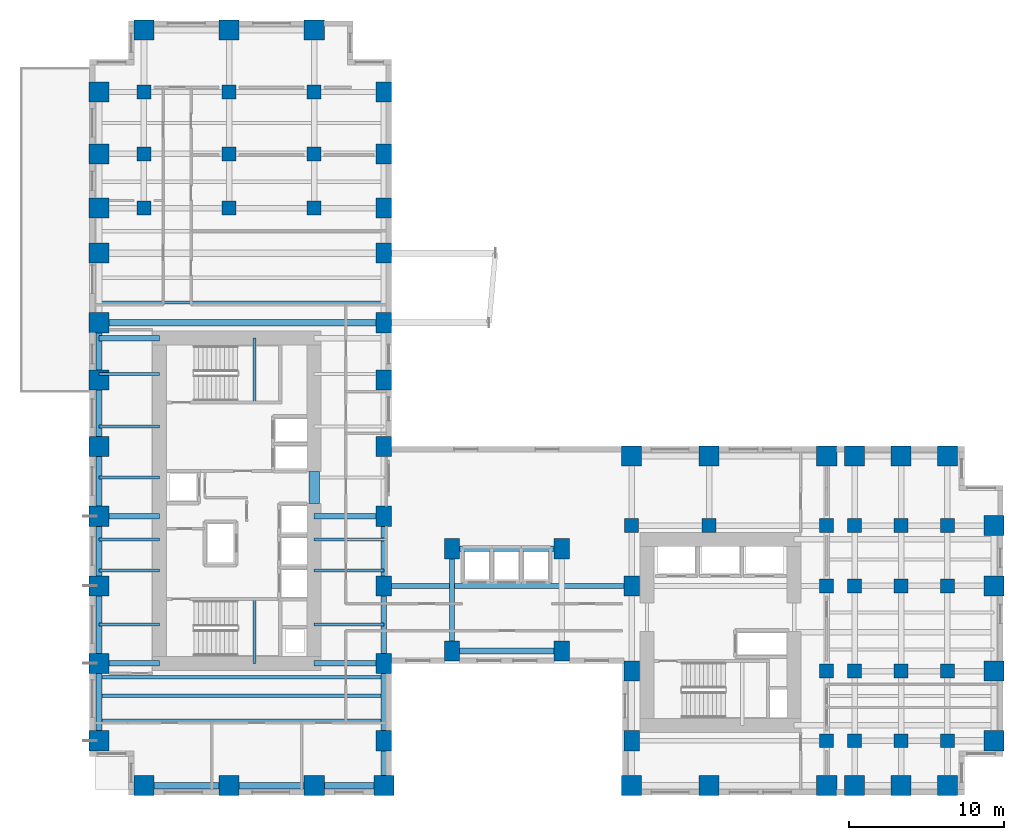
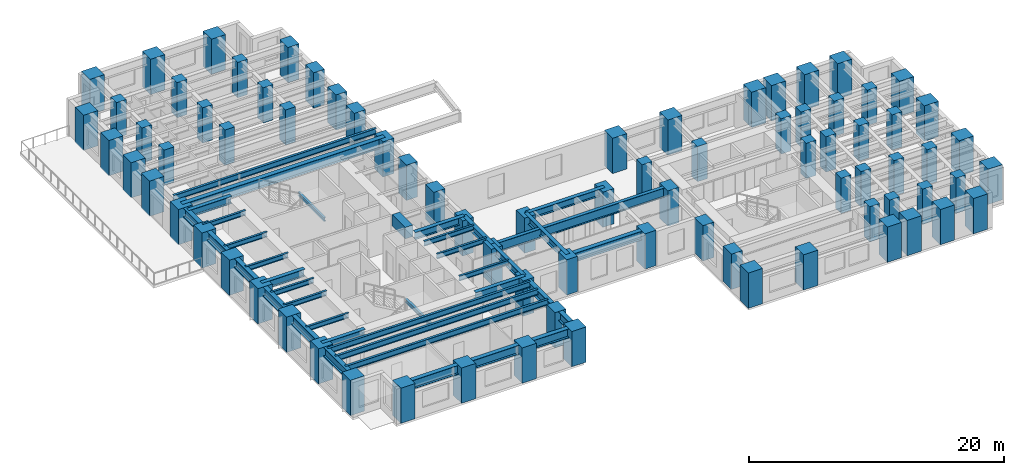
# One storey, part 1 of 15: 79 columns, 39 beams.
"""IFC4 building model written with IfcOpenShell, lengths in metres."""

from ifc_helpers import new_model, si_unit, direction, frame, origin, origin_2d, place, context, subcontext, project, spatial, rectangle, i_section, extrude, source, transform, mapped, material, material_profile, profile_set, type_object, element, save


model = new_model("IFC4")

# Units and contexts
model_context = context("Model", 3, precision=1e-05, world=origin(), true_north=direction((0.0, 1.0)))
body_context = subcontext(model_context, "Body", "Model", "MODEL_VIEW")
ifc_project = project(units=[si_unit("LENGTHUNIT", "METRE"), si_unit("AREAUNIT", "SQUARE_METRE"), si_unit("VOLUMEUNIT", "CUBIC_METRE"), si_unit("PLANEANGLEUNIT", "RADIAN"), si_unit("MASSUNIT", "GRAM", prefix="KILO")], contexts=[model_context])

# Site, building, storey
site_placement = place(None, origin())
site = spatial("IfcSite", under=ifc_project, at=site_placement, CompositionType="ELEMENT")
building_placement = place(site_placement, origin())
building = spatial("IfcBuilding", under=site, at=building_placement, Name="Kharzan Plaza Tower", CompositionType="ELEMENT")
storey_placement = place(building_placement, frame((0.0, 0.0, 22.5)))
storey = spatial("IfcBuildingStorey", under=building, at=storey_placement, Name="L05", CompositionType="ELEMENT", Elevation=22.5)

# Columns
ifc_material_1 = material(Name="Concrete C50/60", Category="concrete")
ifc_material_profile_1 = material_profile(ifc_material_1, rectangle(XDim=0.89990234375, YDim=0.89990234375, at=origin_2d()), Name="RC-IC900x900")
ifc_profile_set_1 = profile_set([ifc_material_profile_1], Name="Concrete C50/60")
column_type_1 = type_object("IfcColumnType", Name="COL-IC900", PredefinedType="COLUMN", material=ifc_profile_set_1)
shared_shape_1 = source(origin(), body_context, "Body", "SweptSolid", [
    extrude(rectangle(XDim=0.89990234375, YDim=0.89990234375, at=origin_2d()), origin(), (0.0, 0.0, 1.0), 3.3798828125),
])
for number, where, z_axis, x_axis, name in (
    (1, (47.60009765625, 13.5, 0.0), (0.0, 0.0, 1.0), (1.0, 0.0, 0.0), "L05 Structural Column TCBI-135"),
    (2, (47.60009765625, 3.5, 0.0), (0.0, 0.0, 1.0), (1.0, 0.0, 0.0), "L05 Structural Column TCBI-35"),
    (3, (47.60009765625, 8.0, 0.0), (0.0, 0.0, 1.0), (1.0, 0.0, 0.0), "L05 Structural Column TCBI-80"),
    (4, (35.0, 17.39990234375, 0.0), (0.0, 0.0, 1.0), (1.0, 0.0, 0.0), "L05 Structural Column TCBN-350-174"),
    (5, (40.0, 17.39990234375, 0.0), (0.0, 0.0, 1.0), (1.0, 0.0, 0.0), "L05 Structural Column TCBN-400-174"),
    (6, (47.60009765625, 17.39990234375, 0.0), (0.0, 0.0, 1.0), (1.0, 0.0, 0.0), "L05 Structural Column TCBN-476-174"),
    (7, (49.39990234375, 13.5, 0.0), (0.0, 0.0, 1.0), (1.0, 0.0, 0.0), "L05 Structural Column TCE-494-135"),
    (8, (49.39990234375, 17.39990234375, 0.0), (0.0, 0.0, 1.0), (1.0, 0.0, 0.0), "L05 Structural Column TCE-494-174"),
    (9, (49.39990234375, 3.5, 0.0), (0.0, 0.0, 1.0), (1.0, 0.0, 0.0), "L05 Structural Column TCE-494-35"),
    (10, (49.39990234375, 8.0, 0.0), (0.0, 0.0, 1.0), (1.0, 0.0, 0.0), "L05 Structural Column TCE-494-80"),
    (11, (52.39990234375, 13.5, 0.0), (0.0, 0.0, 1.0), (1.0, 0.0, 0.0), "L05 Structural Column TCE-524-135"),
    (12, (52.39990234375, 17.39990234375, 0.0), (0.0, 0.0, 1.0), (1.0, 0.0, 0.0), "L05 Structural Column TCE-524-174"),
    (13, (52.39990234375, 3.5, 0.0), (0.0, 0.0, 1.0), (1.0, 0.0, 0.0), "L05 Structural Column TCE-524-35"),
    (14, (52.39990234375, 8.0, 0.0), (0.0, 0.0, 1.0), (1.0, 0.0, 0.0), "L05 Structural Column TCE-524-80"),
    (15, (55.39990234375, 13.5, 0.0), (0.0, 0.0, 1.0), (1.0, 0.0, 0.0), "L05 Structural Column TCE-554-135"),
    (16, (55.39990234375, 17.39990234375, 0.0), (0.0, 0.0, 1.0), (1.0, 0.0, 0.0), "L05 Structural Column TCE-554-174"),
    (17, (55.39990234375, 3.5, 0.0), (0.0, 0.0, 1.0), (1.0, 0.0, 0.0), "L05 Structural Column TCE-554-35"),
    (18, (55.39990234375, 8.0, 0.0), (0.0, 0.0, 1.0), (1.0, 0.0, 0.0), "L05 Structural Column TCE-554-80"),
    (19, (14.5, 37.89990234375, 0.0), (0.0, 0.0, 1.0), (1.0, 0.0, 0.0), "L05 Structural Column TCN-145-379"),
    (20, (14.5, 41.39990234375, 0.0), (0.0, 0.0, 1.0), (1.0, 0.0, 0.0), "L05 Structural Column TCN-145-414"),
    (21, (14.5, 45.39990234375, 0.0), (0.0, 0.0, 1.0), (1.0, 0.0, 0.0), "L05 Structural Column TCN-145-454"),
    (22, (3.5, 37.89990234375, 0.0), (0.0, 0.0, 1.0), (1.0, 0.0, 0.0), "L05 Structural Column TCN-35-379"),
    (23, (3.5, 41.39990234375, 0.0), (0.0, 0.0, 1.0), (1.0, 0.0, 0.0), "L05 Structural Column TCN-35-414"),
    (24, (3.5, 45.39990234375, 0.0), (0.0, 0.0, 1.0), (1.0, 0.0, 0.0), "L05 Structural Column TCN-35-454"),
    (25, (9.0, 37.89990234375, 0.0), (0.0, 0.0, 1.0), (1.0, 0.0, 0.0), "L05 Structural Column TCN-90-379"),
    (26, (9.0, 41.39990234375, 0.0), (0.0, 0.0, 1.0), (1.0, 0.0, 0.0), "L05 Structural Column TCN-90-414"),
    (27, (9.0, 45.39990234375, 0.0), (0.0, 0.0, 1.0), (1.0, 0.0, 0.0), "L05 Structural Column TCN-90-454"),
):
    element("IfcColumn", number, at=place(storey_placement, frame(where, z_axis=z_axis, x_axis=x_axis)), inside=storey, type_object=column_type_1, Name=name, PredefinedType="COLUMN", context=body_context, shape_type="MappedRepresentation", body=[
        mapped(shared_shape_1, transform((0.0, 0.0, 0.0), x_axis=(1.0, 0.0, 0.0), y_axis=(0.0, 1.0, 0.0), z_axis=(0.0, 0.0, 1.0))),
    ])
ifc_material_2 = material(Name="Concrete C60/75", Category="concrete")
ifc_material_profile_2 = material_profile(ifc_material_2, rectangle(XDim=1.0, YDim=1.300048828125, at=origin_2d()), Name="RC-SC1300x1000")
ifc_profile_set_2 = profile_set([ifc_material_profile_2], Name="Concrete C60/75")
column_type_2 = type_object("IfcColumnType", Name="COL-SC1300", PredefinedType="COLUMN", material=ifc_profile_set_2)
shared_shape_2 = source(origin(), body_context, "Body", "SweptSolid", [
    extrude(rectangle(XDim=1.0, YDim=1.300048828125, at=origin_2d()), origin(), (0.0, 0.0, 1.0), 3.3798828125),
])
for number, where, z_axis, x_axis, name in (
    (28, (19.0, 13.5, 0.0), (0.0, 0.0, 1.0), (1.0, 0.0, 0.0), "L05 Structural Column TCA-135"),
    (29, (19.0, 18.0, 0.0), (0.0, 0.0, 1.0), (1.0, 0.0, 0.0), "L05 Structural Column TCA-180"),
    (30, (19.0, 22.5, 0.0), (0.0, 0.0, 1.0), (1.0, 0.0, 0.0), "L05 Structural Column TCA-225"),
    (31, (19.0, 26.800048828125, 0.0), (0.0, 0.0, 1.0), (1.0, 0.0, 0.0), "L05 Structural Column TCA-268"),
    (32, (19.0, 30.5, 0.0), (0.0, 0.0, 1.0), (1.0, 0.0, 0.0), "L05 Structural Column TCA-305"),
    (33, (19.0, 3.5, 0.0), (0.0, 0.0, 1.0), (1.0, 0.0, 0.0), "L05 Structural Column TCA-35"),
    (34, (19.0, 35.0, 0.0), (0.0, 0.0, 1.0), (1.0, 0.0, 0.0), "L05 Structural Column TCA-350"),
    (35, (19.0, 37.89990234375, 0.0), (0.0, 0.0, 1.0), (1.0, 0.0, 0.0), "L05 Structural Column TCA-379"),
    (36, (19.0, 41.39990234375, 0.0), (0.0, 0.0, 1.0), (1.0, 0.0, 0.0), "L05 Structural Column TCA-414"),
    (37, (19.0, 45.39990234375, 0.0), (0.0, 0.0, 1.0), (1.0, 0.0, 0.0), "L05 Structural Column TCA-454"),
    (38, (19.0, 8.5, 0.0), (0.0, 0.0, 1.0), (1.0, 0.0, 0.0), "L05 Structural Column TCA-85"),
    (39, (35.0, 13.5, 0.0), (0.0, 0.0, 1.0), (1.0, 0.0, 0.0), "L05 Structural Column TCBS-135"),
    (40, (35.0, 3.5, 0.0), (0.0, 0.0, 1.0), (1.0, 0.0, 0.0), "L05 Structural Column TCBS-35"),
    (41, (35.0, 8.0, 0.0), (0.0, 0.0, 1.0), (1.0, 0.0, 0.0), "L05 Structural Column TCBS-80"),
    (42, (23.39990234375, 15.89990234375, 0.0), (0.0, 0.0, 1.0), (1.0, 0.0, 0.0), "L05 Structural Column TCSP-234-159"),
    (43, (23.39990234375, 9.300048828125, 0.0), (0.0, 0.0, 1.0), (1.0, 0.0, 0.0), "L05 Structural Column TCSP-234-93"),
    (44, (30.5, 15.89990234375, 0.0), (0.0, 0.0, 1.0), (1.0, 0.0, 0.0), "L05 Structural Column TCSP-305-159"),
    (45, (30.5, 9.300048828125, 0.0), (0.0, 0.0, 1.0), (1.0, 0.0, 0.0), "L05 Structural Column TCSP-305-93"),
):
    element("IfcColumn", number, at=place(storey_placement, frame(where, z_axis=z_axis, x_axis=x_axis)), inside=storey, type_object=column_type_2, Name=name, PredefinedType="COLUMN", context=body_context, shape_type="MappedRepresentation", body=[
        mapped(shared_shape_2, transform((0.0, 0.0, 0.0), x_axis=(1.0, 0.0, 0.0), y_axis=(0.0, 1.0, 0.0), z_axis=(0.0, 0.0, 1.0))),
    ])
ifc_material_profile_3 = material_profile(ifc_material_2, rectangle(XDim=1.300048828125, YDim=1.300048828125, at=origin_2d()), Name="RC-TC1300x1300")
ifc_profile_set_3 = profile_set([ifc_material_profile_3], Name="Concrete C60/75")
column_type_3 = type_object("IfcColumnType", Name="COL-TC1300", PredefinedType="COLUMN", material=ifc_profile_set_3)
shared_shape_3 = source(origin(), body_context, "Body", "SweptSolid", [
    extrude(rectangle(XDim=1.300048828125, YDim=1.300048828125, at=origin_2d()), origin(), (0.0, 0.0, 1.0), 3.3798828125),
])
for number, where, z_axis, x_axis, name in (
    (46, (35.0, 21.89990234375, 0.0), (0.0, 0.0, 1.0), (1.0, 0.0, 0.0), "L05 Structural Column TCBN-350-219"),
    (47, (40.0, 21.89990234375, 0.0), (0.0, 0.0, 1.0), (1.0, 0.0, 0.0), "L05 Structural Column TCBN-400-219"),
    (48, (47.60009765625, 21.89990234375, 0.0), (0.0, 0.0, 1.0), (1.0, 0.0, 0.0), "L05 Structural Column TCBN-476-219"),
    (49, (49.39990234375, 21.89990234375, 0.0), (0.0, 0.0, 1.0), (1.0, 0.0, 0.0), "L05 Structural Column TCBN-494-219"),
    (50, (52.39990234375, 21.89990234375, 0.0), (0.0, 0.0, 1.0), (1.0, 0.0, 0.0), "L05 Structural Column TCBN-524-219"),
    (51, (55.39990234375, 21.89990234375, 0.0), (0.0, 0.0, 1.0), (1.0, 0.0, 0.0), "L05 Structural Column TCBN-554-219"),
    (52, (58.39990234375, 13.5, 0.0), (0.0, 0.0, 1.0), (1.0, 0.0, 0.0), "L05 Structural Column TCE-584-135"),
    (53, (58.39990234375, 17.39990234375, 0.0), (0.0, 0.0, 1.0), (1.0, 0.0, 0.0), "L05 Structural Column TCE-584-174"),
    (54, (58.39990234375, 3.5, 0.0), (0.0, 0.0, 1.0), (1.0, 0.0, 0.0), "L05 Structural Column TCE-584-35"),
    (55, (58.39990234375, 8.0, 0.0), (0.0, 0.0, 1.0), (1.0, 0.0, 0.0), "L05 Structural Column TCE-584-80"),
    (56, (14.5, 49.39990234375, 0.0), (0.0, 0.0, 1.0), (1.0, 0.0, 0.0), "L05 Structural Column TCN-145-494"),
    (57, (3.5, 49.39990234375, 0.0), (0.0, 0.0, 1.0), (1.0, 0.0, 0.0), "L05 Structural Column TCN-35-494"),
    (58, (9.0, 49.39990234375, 0.0), (0.0, 0.0, 1.0), (1.0, 0.0, 0.0), "L05 Structural Column TCN-90-494"),
    (59, (14.5, 0.60009765625, 0.0), (0.0, 0.0, 1.0), (1.0, 0.0, 0.0), "L05 Structural Column TCS-145"),
    (60, (19.0, 0.60009765625, 0.0), (0.0, 0.0, 1.0), (1.0, 0.0, 0.0), "L05 Structural Column TCS-190"),
    (61, (3.5, 0.60009765625, 0.0), (0.0, 0.0, 1.0), (1.0, 0.0, 0.0), "L05 Structural Column TCS-35"),
    (62, (35.0, 0.60009765625, 0.0), (0.0, 0.0, 1.0), (1.0, 0.0, 0.0), "L05 Structural Column TCS-350"),
    (63, (40.0, 0.60009765625, 0.0), (0.0, 0.0, 1.0), (1.0, 0.0, 0.0), "L05 Structural Column TCS-400"),
    (64, (47.60009765625, 0.60009765625, 0.0), (0.0, 0.0, 1.0), (1.0, 0.0, 0.0), "L05 Structural Column TCS-476"),
    (65, (49.39990234375, 0.60009765625, 0.0), (0.0, 0.0, 1.0), (1.0, 0.0, 0.0), "L05 Structural Column TCS-494"),
    (66, (52.39990234375, 0.60009765625, 0.0), (0.0, 0.0, 1.0), (1.0, 0.0, 0.0), "L05 Structural Column TCS-524"),
    (67, (55.39990234375, 0.60009765625, 0.0), (0.0, 0.0, 1.0), (1.0, 0.0, 0.0), "L05 Structural Column TCS-554"),
    (68, (9.0, 0.60009765625, 0.0), (0.0, 0.0, 1.0), (1.0, 0.0, 0.0), "L05 Structural Column TCS-90"),
    (69, (0.60009765625, 13.5, 0.0), (0.0, 0.0, 1.0), (1.0, 0.0, 0.0), "L05 Structural Column TCW-135"),
    (70, (0.60009765625, 18.0, 0.0), (0.0, 0.0, 1.0), (1.0, 0.0, 0.0), "L05 Structural Column TCW-180"),
    (71, (0.60009765625, 22.5, 0.0), (0.0, 0.0, 1.0), (1.0, 0.0, 0.0), "L05 Structural Column TCW-225"),
    (72, (0.60009765625, 26.800048828125, 0.0), (0.0, 0.0, 1.0), (1.0, 0.0, 0.0), "L05 Structural Column TCW-268"),
    (73, (0.60009765625, 30.5, 0.0), (0.0, 0.0, 1.0), (1.0, 0.0, 0.0), "L05 Structural Column TCW-305"),
    (74, (0.60009765625, 3.5, 0.0), (0.0, 0.0, 1.0), (1.0, 0.0, 0.0), "L05 Structural Column TCW-35"),
    (75, (0.60009765625, 35.0, 0.0), (0.0, 0.0, 1.0), (1.0, 0.0, 0.0), "L05 Structural Column TCW-350"),
    (76, (0.60009765625, 37.89990234375, 0.0), (0.0, 0.0, 1.0), (1.0, 0.0, 0.0), "L05 Structural Column TCW-379"),
    (77, (0.60009765625, 41.39990234375, 0.0), (0.0, 0.0, 1.0), (1.0, 0.0, 0.0), "L05 Structural Column TCW-414"),
    (78, (0.60009765625, 45.39990234375, 0.0), (0.0, 0.0, 1.0), (1.0, 0.0, 0.0), "L05 Structural Column TCW-454"),
    (79, (0.60009765625, 8.5, 0.0), (0.0, 0.0, 1.0), (1.0, 0.0, 0.0), "L05 Structural Column TCW-85"),
):
    element("IfcColumn", number, at=place(storey_placement, frame(where, z_axis=z_axis, x_axis=x_axis)), inside=storey, type_object=column_type_3, Name=name, PredefinedType="COLUMN", context=body_context, shape_type="MappedRepresentation", body=[
        mapped(shared_shape_3, transform((0.0, 0.0, 0.0), x_axis=(1.0, 0.0, 0.0), y_axis=(0.0, 1.0, 0.0), z_axis=(0.0, 0.0, 1.0))),
    ])

# Beams
ifc_material_profile_4 = material_profile(ifc_material_2, rectangle(XDim=0.699951171875, YDim=1.10009765625, at=origin_2d()), Name="RC-CB1100x700")
ifc_profile_set_4 = profile_set([ifc_material_profile_4], Name="Concrete C60/75")
beam_type_1 = type_object("IfcBeamType", Name="BM-RCCB1100", PredefinedType="LINTEL", material=ifc_profile_set_4)
shared_shape_4 = source(origin(), body_context, "Body", "SweptSolid", [
    extrude(rectangle(XDim=0.699951171875, YDim=1.10009765625, at=origin_2d()), origin(), (0.0, 0.0, 1.0), 2.059814453125),
])
beam_1_placement = place(storey_placement, frame((14.5, 18.820068359375, 2.830078125), z_axis=(0.0, 1.0, 0.0), x_axis=(-1.0, 0.0, 0.0)))
element("IfcBeam", 80, at=beam_1_placement, inside=storey, type_object=beam_type_1, Name="L05 CORE-A RC coupling beam CB1", PredefinedType="LINTEL", context=body_context, shape_type="MappedRepresentation", body=[
    mapped(shared_shape_4, transform((0.0, 0.0, 0.0), x_axis=(1.0, 0.0, 0.0), y_axis=(0.0, 1.0, 0.0), z_axis=(0.0, 0.0, 1.0))),
])
ifc_material_3 = material(Name="Steel S355", Category="steel")
ifc_material_profile_5 = material_profile(ifc_material_3, i_section(OverallWidth=0.205078125, OverallDepth=0.35400390625, WebThickness=0.009521484375, FlangeThickness=0.016845703125, at=origin_2d()), Name="W360x79")
ifc_profile_set_5 = profile_set([ifc_material_profile_5], Name="Steel S355")
beam_type_2 = type_object("IfcBeamType", Name="BM-LNT360", PredefinedType="LINTEL", material=ifc_profile_set_5)
shared_shape_5 = source(origin(), body_context, "Body", "SweptSolid", [
    extrude(i_section(OverallWidth=0.205078125, OverallDepth=0.35400390625, WebThickness=0.009521484375, FlangeThickness=0.016845703125, at=origin_2d()), origin(), (0.0, 0.0, 1.0), 4.155029296875),
])
for number, where, z_axis, x_axis, name in (
    (81, (10.64990234375, 8.5, 1.423095703125), (0.0, 1.0, 0.0), (-1.0, 0.0, 0.0), "L05 Stair ST-1 Half-Landing Beam"),
    (82, (10.64990234375, 25.344970703125, 1.423095703125), (0.0, 1.0, 0.0), (-1.0, 0.0, 0.0), "L05 Stair ST-2 Half-Landing Beam"),
):
    element("IfcBeam", number, at=place(storey_placement, frame(where, z_axis=z_axis, x_axis=x_axis)), inside=storey, type_object=beam_type_2, Name=name, PredefinedType="LINTEL", context=body_context, shape_type="MappedRepresentation", body=[
        mapped(shared_shape_5, transform((0.0, 0.0, 0.0), x_axis=(1.0, 0.0, 0.0), y_axis=(0.0, 1.0, 0.0), z_axis=(0.0, 0.0, 1.0))),
    ])
ifc_material_profile_6 = material_profile(ifc_material_3, i_section(OverallWidth=0.304931640625, OverallDepth=0.9189453125, WebThickness=0.017333984375, FlangeThickness=0.02783203125, at=origin_2d()), Name="W920x253")
ifc_profile_set_6 = profile_set([ifc_material_profile_6], Name="Steel S355")
beam_type_3 = type_object("IfcBeamType", Name="BM-FG920B", PredefinedType="BEAM", material=ifc_profile_set_6)
shared_shape_6 = source(origin(), body_context, "Body", "SweptSolid", [
    extrude(i_section(OverallWidth=0.304931640625, OverallDepth=0.9189453125, WebThickness=0.017333984375, FlangeThickness=0.02783203125, at=origin_2d()), origin(), (0.0, 0.0, 1.0), 16.0),
])
beam_2_placement = place(storey_placement, frame((19.0, 13.5, 2.92041015625), z_axis=(1.0, 0.0, 0.0), x_axis=(0.0, 1.0, 0.0)))
element("IfcBeam", 83, at=beam_2_placement, inside=storey, type_object=beam_type_3, Name="L05 Primary Floor Girder", PredefinedType="BEAM", context=body_context, shape_type="MappedRepresentation", body=[
    mapped(shared_shape_6, transform((0.0, 0.0, 0.0), x_axis=(1.0, 0.0, 0.0), y_axis=(0.0, 1.0, 0.0), z_axis=(0.0, 0.0, 1.0))),
])
ifc_material_profile_7 = material_profile(ifc_material_3, i_section(OverallWidth=0.35498046875, OverallDepth=0.695068359375, WebThickness=0.015380859375, FlangeThickness=0.02490234375, at=origin_2d()), Name="W690x217")
ifc_profile_set_7 = profile_set([ifc_material_profile_7], Name="Steel S355")
beam_type_4 = type_object("IfcBeamType", Name="BM-FG690A", PredefinedType="BEAM", material=ifc_profile_set_7)
shared_shape_7 = source(origin(), body_context, "Body", "SweptSolid", [
    extrude(i_section(OverallWidth=0.35498046875, OverallDepth=0.695068359375, WebThickness=0.015380859375, FlangeThickness=0.02490234375, at=origin_2d()), origin(), (0.0, 0.0, 1.0), 4.5),
])
for number, where, z_axis, x_axis, name in (
    (84, (14.5, 8.5, 3.032470703125), (1.0, 0.0, 0.0), (0.0, 1.0, 0.0), "L05 Core-A East Floor Girder 1"),
    (85, (14.5, 18.0, 3.032470703125), (1.0, 0.0, 0.0), (0.0, 1.0, 0.0), "L05 Core-A East Floor Girder 2"),
    (86, (19.0, 13.5, 3.032470703125), (0.0, 1.0, 0.0), (-1.0, 0.0, 0.0), "L05 Interior Frame Girder"),
):
    element("IfcBeam", number, at=place(storey_placement, frame(where, z_axis=z_axis, x_axis=x_axis)), inside=storey, type_object=beam_type_4, Name=name, PredefinedType="BEAM", context=body_context, shape_type="MappedRepresentation", body=[
        mapped(shared_shape_7, transform((0.0, 0.0, 0.0), x_axis=(1.0, 0.0, 0.0), y_axis=(0.0, 1.0, 0.0), z_axis=(0.0, 0.0, 1.0))),
    ])
shared_shape_8 = source(origin(), body_context, "Body", "SweptSolid", [
    extrude(i_section(OverallWidth=0.35498046875, OverallDepth=0.695068359375, WebThickness=0.015380859375, FlangeThickness=0.02490234375, at=origin_2d()), origin(), (0.0, 0.0, 1.0), 3.89990234375),
])
for number, where, z_axis, x_axis, name in (
    (87, (0.60009765625, 8.5, 3.032470703125), (1.0, 0.0, 0.0), (0.0, 1.0, 0.0), "L05 Core-A West Floor Girder 1"),
    (88, (0.60009765625, 18.0, 3.032470703125), (1.0, 0.0, 0.0), (0.0, 1.0, 0.0), "L05 Core-A West Floor Girder 2"),
    (89, (0.60009765625, 29.5, 3.032470703125), (1.0, 0.0, 0.0), (0.0, 1.0, 0.0), "L05 Core-A West Floor Girder 3"),
):
    element("IfcBeam", number, at=place(storey_placement, frame(where, z_axis=z_axis, x_axis=x_axis)), inside=storey, type_object=beam_type_4, Name=name, PredefinedType="BEAM", context=body_context, shape_type="MappedRepresentation", body=[
        mapped(shared_shape_8, transform((0.0, 0.0, 0.0), x_axis=(1.0, 0.0, 0.0), y_axis=(0.0, 1.0, 0.0), z_axis=(0.0, 0.0, 1.0))),
    ])
shared_shape_9 = source(origin(), body_context, "Body", "SweptSolid", [
    extrude(i_section(OverallWidth=0.35498046875, OverallDepth=0.695068359375, WebThickness=0.015380859375, FlangeThickness=0.02490234375, at=origin_2d()), origin(), (0.0, 0.0, 1.0), 5.0),
])
beam_3_placement = place(storey_placement, frame((19.0, 8.5, 3.032470703125), z_axis=(0.0, 1.0, 0.0), x_axis=(-1.0, 0.0, 0.0)))
element("IfcBeam", 90, at=beam_3_placement, inside=storey, type_object=beam_type_4, Name="L05 Interior Frame Girder", PredefinedType="BEAM", context=body_context, shape_type="MappedRepresentation", body=[
    mapped(shared_shape_9, transform((0.0, 0.0, 0.0), x_axis=(1.0, 0.0, 0.0), y_axis=(0.0, 1.0, 0.0), z_axis=(0.0, 0.0, 1.0))),
])
shared_shape_10 = source(origin(), body_context, "Body", "SweptSolid", [
    extrude(i_section(OverallWidth=0.35498046875, OverallDepth=0.695068359375, WebThickness=0.015380859375, FlangeThickness=0.02490234375, at=origin_2d()), origin(), (0.0, 0.0, 1.0), 6.599853515625),
])
beam_4_placement = place(storey_placement, frame((23.39990234375, 9.300048828125, 3.032470703125), z_axis=(0.0, 1.0, 0.0), x_axis=(-1.0, 0.0, 0.0)))
element("IfcBeam", 91, at=beam_4_placement, inside=storey, type_object=beam_type_4, Name="L05 Interior Frame Girder", PredefinedType="BEAM", context=body_context, shape_type="MappedRepresentation", body=[
    mapped(shared_shape_10, transform((0.0, 0.0, 0.0), x_axis=(1.0, 0.0, 0.0), y_axis=(0.0, 1.0, 0.0), z_axis=(0.0, 0.0, 1.0))),
])
shared_shape_11 = source(origin(), body_context, "Body", "SweptSolid", [
    extrude(i_section(OverallWidth=0.35498046875, OverallDepth=0.695068359375, WebThickness=0.015380859375, FlangeThickness=0.02490234375, at=origin_2d()), origin(), (0.0, 0.0, 1.0), 7.10009765625),
])
beam_5_placement = place(storey_placement, frame((23.39990234375, 15.89990234375, 3.032470703125), z_axis=(1.0, 0.0, 0.0), x_axis=(0.0, 1.0, 0.0)))
element("IfcBeam", 92, at=beam_5_placement, inside=storey, type_object=beam_type_4, Name="L05 Primary Floor Girder", PredefinedType="BEAM", context=body_context, shape_type="MappedRepresentation", body=[
    mapped(shared_shape_11, transform((0.0, 0.0, 0.0), x_axis=(1.0, 0.0, 0.0), y_axis=(0.0, 1.0, 0.0), z_axis=(0.0, 0.0, 1.0))),
])
ifc_material_profile_8 = material_profile(ifc_material_3, i_section(OverallWidth=0.2099609375, OverallDepth=0.537109375, WebThickness=0.010986328125, FlangeThickness=0.017333984375, at=origin_2d()), Name="W530x101")
ifc_profile_set_8 = profile_set([ifc_material_profile_8], Name="Steel S355")
beam_type_5 = type_object("IfcBeamType", Name="BM-JST530B", PredefinedType="JOIST", material=ifc_profile_set_8)
shared_shape_12 = source(origin(), body_context, "Body", "SweptSolid", [
    extrude(i_section(OverallWidth=0.2099609375, OverallDepth=0.537109375, WebThickness=0.010986328125, FlangeThickness=0.017333984375, at=origin_2d()), origin(), (0.0, 0.0, 1.0), 18.39990234375),
])
for number, where, z_axis, x_axis, name in (
    (93, (0.60009765625, 4.800048828125, 3.111572265625), (1.0, 0.0, 0.0), (0.0, 1.0, 0.0), "L05 Wing A Composite Joist 01"),
    (94, (0.60009765625, 6.39990234375, 3.111572265625), (1.0, 0.0, 0.0), (0.0, 1.0, 0.0), "L05 Wing A Composite Joist 02"),
    (95, (0.60009765625, 7.60009765625, 3.111572265625), (1.0, 0.0, 0.0), (0.0, 1.0, 0.0), "L05 Wing A Composite Joist 03"),
    (96, (0.60009765625, 31.800048828125, 3.111572265625), (1.0, 0.0, 0.0), (0.0, 1.0, 0.0), "L05 Wing A Composite Joist 04"),
):
    element("IfcBeam", number, at=place(storey_placement, frame(where, z_axis=z_axis, x_axis=x_axis)), inside=storey, type_object=beam_type_5, Name=name, PredefinedType="JOIST", context=body_context, shape_type="MappedRepresentation", body=[
        mapped(shared_shape_12, transform((0.0, 0.0, 0.0), x_axis=(1.0, 0.0, 0.0), y_axis=(0.0, 1.0, 0.0), z_axis=(0.0, 0.0, 1.0))),
    ])
ifc_material_profile_9 = material_profile(ifc_material_3, i_section(OverallWidth=0.194091796875, OverallDepth=0.468994140625, WebThickness=0.011474609375, FlangeThickness=0.0205078125, at=origin_2d()), Name="W460x106")
ifc_profile_set_9 = profile_set([ifc_material_profile_9], Name="Steel S355")
beam_type_6 = type_object("IfcBeamType", Name="BM-JST460", PredefinedType="JOIST", material=ifc_profile_set_9)
shared_shape_13 = source(origin(), body_context, "Body", "SweptSolid", [
    extrude(i_section(OverallWidth=0.194091796875, OverallDepth=0.468994140625, WebThickness=0.011474609375, FlangeThickness=0.0205078125, at=origin_2d()), origin(), (0.0, 0.0, 1.0), 4.5),
])
for number, where, z_axis, x_axis, name in (
    (97, (14.5, 11.0, 3.1455078125), (1.0, 0.0, 0.0), (0.0, 1.0, 0.0), "L05 Wing A East Infill Joist 1"),
    (98, (14.5, 14.5, 3.1455078125), (1.0, 0.0, 0.0), (0.0, 1.0, 0.0), "L05 Wing A East Infill Joist 2"),
    (99, (14.5, 16.5, 3.1455078125), (1.0, 0.0, 0.0), (0.0, 1.0, 0.0), "L05 Wing A East Infill Joist 3"),
):
    element("IfcBeam", number, at=place(storey_placement, frame(where, z_axis=z_axis, x_axis=x_axis)), inside=storey, type_object=beam_type_6, Name=name, PredefinedType="JOIST", context=body_context, shape_type="MappedRepresentation", body=[
        mapped(shared_shape_13, transform((0.0, 0.0, 0.0), x_axis=(1.0, 0.0, 0.0), y_axis=(0.0, 1.0, 0.0), z_axis=(0.0, 0.0, 1.0))),
    ])
shared_shape_14 = source(origin(), body_context, "Body", "SweptSolid", [
    extrude(i_section(OverallWidth=0.194091796875, OverallDepth=0.468994140625, WebThickness=0.011474609375, FlangeThickness=0.0205078125, at=origin_2d()), origin(), (0.0, 0.0, 1.0), 3.89990234375),
])
for number, where, z_axis, x_axis, name in (
    (100, (0.60009765625, 11.0, 3.1455078125), (1.0, 0.0, 0.0), (0.0, 1.0, 0.0), "L05 Wing A West Infill Joist 1"),
    (101, (0.60009765625, 14.5, 3.1455078125), (1.0, 0.0, 0.0), (0.0, 1.0, 0.0), "L05 Wing A West Infill Joist 2"),
    (102, (0.60009765625, 16.5, 3.1455078125), (1.0, 0.0, 0.0), (0.0, 1.0, 0.0), "L05 Wing A West Infill Joist 3"),
    (103, (0.60009765625, 20.5, 3.1455078125), (1.0, 0.0, 0.0), (0.0, 1.0, 0.0), "L05 Wing A West Infill Joist 4"),
    (104, (0.60009765625, 23.800048828125, 3.1455078125), (1.0, 0.0, 0.0), (0.0, 1.0, 0.0), "L05 Wing A West Infill Joist 5"),
    (105, (0.60009765625, 27.199951171875, 3.1455078125), (1.0, 0.0, 0.0), (0.0, 1.0, 0.0), "L05 Wing A West Infill Joist 6"),
):
    element("IfcBeam", number, at=place(storey_placement, frame(where, z_axis=z_axis, x_axis=x_axis)), inside=storey, type_object=beam_type_6, Name=name, PredefinedType="JOIST", context=body_context, shape_type="MappedRepresentation", body=[
        mapped(shared_shape_14, transform((0.0, 0.0, 0.0), x_axis=(1.0, 0.0, 0.0), y_axis=(0.0, 1.0, 0.0), z_axis=(0.0, 0.0, 1.0))),
    ])
ifc_material_profile_10 = material_profile(ifc_material_3, i_section(OverallWidth=0.40087890625, OverallDepth=0.85498046875, WebThickness=0.018310546875, FlangeThickness=0.029296875, at=origin_2d()), Name="W840x299")
ifc_profile_set_10 = profile_set([ifc_material_profile_10], Name="Steel S355")
beam_type_7 = type_object("IfcBeamType", Name="BM-SP840A", PredefinedType="SPANDREL", material=ifc_profile_set_10)
shared_shape_15 = source(origin(), body_context, "Body", "SweptSolid", [
    extrude(i_section(OverallWidth=0.40087890625, OverallDepth=0.85498046875, WebThickness=0.018310546875, FlangeThickness=0.029296875, at=origin_2d()), origin(), (0.0, 0.0, 1.0), 5.0),
])
for number, where, z_axis, x_axis, name in (
    (106, (0.60009765625, 3.5, 2.952392578125), (0.0, 1.0, 0.0), (-1.0, 0.0, 0.0), "L05 Perimeter Tube Spandrel"),
    (107, (0.60009765625, 8.5, 2.952392578125), (0.0, 1.0, 0.0), (-1.0, 0.0, 0.0), "L05 Perimeter Tube Spandrel"),
    (108, (19.0, 3.5, 2.952392578125), (0.0, 1.0, 0.0), (-1.0, 0.0, 0.0), "L05 Perimeter Tube Spandrel"),
):
    element("IfcBeam", number, at=place(storey_placement, frame(where, z_axis=z_axis, x_axis=x_axis)), inside=storey, type_object=beam_type_7, Name=name, PredefinedType="SPANDREL", context=body_context, shape_type="MappedRepresentation", body=[
        mapped(shared_shape_15, transform((0.0, 0.0, 0.0), x_axis=(1.0, 0.0, 0.0), y_axis=(0.0, 1.0, 0.0), z_axis=(0.0, 0.0, 1.0))),
    ])
shared_shape_16 = source(origin(), body_context, "Body", "SweptSolid", [
    extrude(i_section(OverallWidth=0.40087890625, OverallDepth=0.85498046875, WebThickness=0.018310546875, FlangeThickness=0.029296875, at=origin_2d()), origin(), (0.0, 0.0, 1.0), 4.5),
])
for number, where, z_axis, x_axis, name in (
    (109, (0.60009765625, 13.5, 2.952392578125), (0.0, 1.0, 0.0), (-1.0, 0.0, 0.0), "L05 Perimeter Tube Spandrel"),
    (110, (0.60009765625, 18.0, 2.952392578125), (0.0, 1.0, 0.0), (-1.0, 0.0, 0.0), "L05 Perimeter Tube Spandrel"),
    (111, (14.5, 0.60009765625, 2.952392578125), (1.0, 0.0, 0.0), (0.0, 1.0, 0.0), "L05 Perimeter Tube Spandrel"),
):
    element("IfcBeam", number, at=place(storey_placement, frame(where, z_axis=z_axis, x_axis=x_axis)), inside=storey, type_object=beam_type_7, Name=name, PredefinedType="SPANDREL", context=body_context, shape_type="MappedRepresentation", body=[
        mapped(shared_shape_16, transform((0.0, 0.0, 0.0), x_axis=(1.0, 0.0, 0.0), y_axis=(0.0, 1.0, 0.0), z_axis=(0.0, 0.0, 1.0))),
    ])
shared_shape_17 = source(origin(), body_context, "Body", "SweptSolid", [
    extrude(i_section(OverallWidth=0.40087890625, OverallDepth=0.85498046875, WebThickness=0.018310546875, FlangeThickness=0.029296875, at=origin_2d()), origin(), (0.0, 0.0, 1.0), 4.300048828125),
])
beam_6_placement = place(storey_placement, frame((0.60009765625, 22.5, 2.952392578125), z_axis=(0.0, 1.0, 0.0), x_axis=(-1.0, 0.0, 0.0)))
element("IfcBeam", 112, at=beam_6_placement, inside=storey, type_object=beam_type_7, Name="L05 Perimeter Tube Spandrel", PredefinedType="SPANDREL", context=body_context, shape_type="MappedRepresentation", body=[
    mapped(shared_shape_17, transform((0.0, 0.0, 0.0), x_axis=(1.0, 0.0, 0.0), y_axis=(0.0, 1.0, 0.0), z_axis=(0.0, 0.0, 1.0))),
])
shared_shape_18 = source(origin(), body_context, "Body", "SweptSolid", [
    extrude(i_section(OverallWidth=0.40087890625, OverallDepth=0.85498046875, WebThickness=0.018310546875, FlangeThickness=0.029296875, at=origin_2d()), origin(), (0.0, 0.0, 1.0), 3.699951171875),
])
beam_7_placement = place(storey_placement, frame((0.60009765625, 26.800048828125, 2.952392578125), z_axis=(0.0, 1.0, 0.0), x_axis=(-1.0, 0.0, 0.0)))
element("IfcBeam", 113, at=beam_7_placement, inside=storey, type_object=beam_type_7, Name="L05 Perimeter Tube Spandrel", PredefinedType="SPANDREL", context=body_context, shape_type="MappedRepresentation", body=[
    mapped(shared_shape_18, transform((0.0, 0.0, 0.0), x_axis=(1.0, 0.0, 0.0), y_axis=(0.0, 1.0, 0.0), z_axis=(0.0, 0.0, 1.0))),
])
shared_shape_19 = source(origin(), body_context, "Body", "SweptSolid", [
    extrude(i_section(OverallWidth=0.40087890625, OverallDepth=0.85498046875, WebThickness=0.018310546875, FlangeThickness=0.029296875, at=origin_2d()), origin(), (0.0, 0.0, 1.0), 2.89990234375),
])
beam_8_placement = place(storey_placement, frame((19.0, 0.60009765625, 2.952392578125), z_axis=(0.0, 1.0, 0.0), x_axis=(-1.0, 0.0, 0.0)))
element("IfcBeam", 114, at=beam_8_placement, inside=storey, type_object=beam_type_7, Name="L05 Perimeter Tube Spandrel", PredefinedType="SPANDREL", context=body_context, shape_type="MappedRepresentation", body=[
    mapped(shared_shape_19, transform((0.0, 0.0, 0.0), x_axis=(1.0, 0.0, 0.0), y_axis=(0.0, 1.0, 0.0), z_axis=(0.0, 0.0, 1.0))),
])
shared_shape_20 = source(origin(), body_context, "Body", "SweptSolid", [
    extrude(i_section(OverallWidth=0.40087890625, OverallDepth=0.85498046875, WebThickness=0.018310546875, FlangeThickness=0.029296875, at=origin_2d()), origin(), (0.0, 0.0, 1.0), 5.5),
])
for number, where, z_axis, x_axis, name in (
    (115, (3.5, 0.60009765625, 2.952392578125), (1.0, 0.0, 0.0), (0.0, 1.0, 0.0), "L05 Perimeter Tube Spandrel"),
    (116, (9.0, 0.60009765625, 2.952392578125), (1.0, 0.0, 0.0), (0.0, 1.0, 0.0), "L05 Perimeter Tube Spandrel"),
):
    element("IfcBeam", number, at=place(storey_placement, frame(where, z_axis=z_axis, x_axis=x_axis)), inside=storey, type_object=beam_type_7, Name=name, PredefinedType="SPANDREL", context=body_context, shape_type="MappedRepresentation", body=[
        mapped(shared_shape_20, transform((0.0, 0.0, 0.0), x_axis=(1.0, 0.0, 0.0), y_axis=(0.0, 1.0, 0.0), z_axis=(0.0, 0.0, 1.0))),
    ])
shared_shape_21 = source(origin(), body_context, "Body", "SweptSolid", [
    extrude(i_section(OverallWidth=0.40087890625, OverallDepth=0.85498046875, WebThickness=0.018310546875, FlangeThickness=0.029296875, at=origin_2d()), origin(), (0.0, 0.0, 1.0), 7.10009765625),
])
beam_9_placement = place(storey_placement, frame((23.39990234375, 9.300048828125, 2.952392578125), z_axis=(1.0, 0.0, 0.0), x_axis=(0.0, 1.0, 0.0)))
element("IfcBeam", 117, at=beam_9_placement, inside=storey, type_object=beam_type_7, Name="L05 Perimeter Tube Spandrel", PredefinedType="SPANDREL", context=body_context, shape_type="MappedRepresentation", body=[
    mapped(shared_shape_21, transform((0.0, 0.0, 0.0), x_axis=(1.0, 0.0, 0.0), y_axis=(0.0, 1.0, 0.0), z_axis=(0.0, 0.0, 1.0))),
])
ifc_material_profile_11 = material_profile(ifc_material_3, i_section(OverallWidth=0.41796875, OverallDepth=0.93701171875, WebThickness=0.019287109375, FlangeThickness=0.031982421875, at=origin_2d()), Name="W920x342")
ifc_profile_set_11 = profile_set([ifc_material_profile_11], Name="Steel S355")
beam_type_8 = type_object("IfcBeamType", Name="BM-ZTB920", PredefinedType="BEAM", material=ifc_profile_set_11)
shared_shape_22 = source(origin(), body_context, "Body", "SweptSolid", [
    extrude(i_section(OverallWidth=0.41796875, OverallDepth=0.93701171875, WebThickness=0.019287109375, FlangeThickness=0.031982421875, at=origin_2d()), origin(), (0.0, 0.0, 1.0), 18.39990234375),
])
beam_10_placement = place(storey_placement, frame((0.60009765625, 30.5, 2.91162109375), z_axis=(1.0, 0.0, 0.0), x_axis=(0.0, 1.0, 0.0)))
element("IfcBeam", 118, at=beam_10_placement, inside=storey, type_object=beam_type_8, Name="L05 Sky-Terrace Back-Span Girder ZTB1 (L06 G1)", PredefinedType="BEAM", context=body_context, shape_type="MappedRepresentation", body=[
    mapped(shared_shape_22, transform((0.0, 0.0, 0.0), x_axis=(1.0, 0.0, 0.0), y_axis=(0.0, 1.0, 0.0), z_axis=(0.0, 0.0, 1.0))),
])

save(model, "model.ifc")
